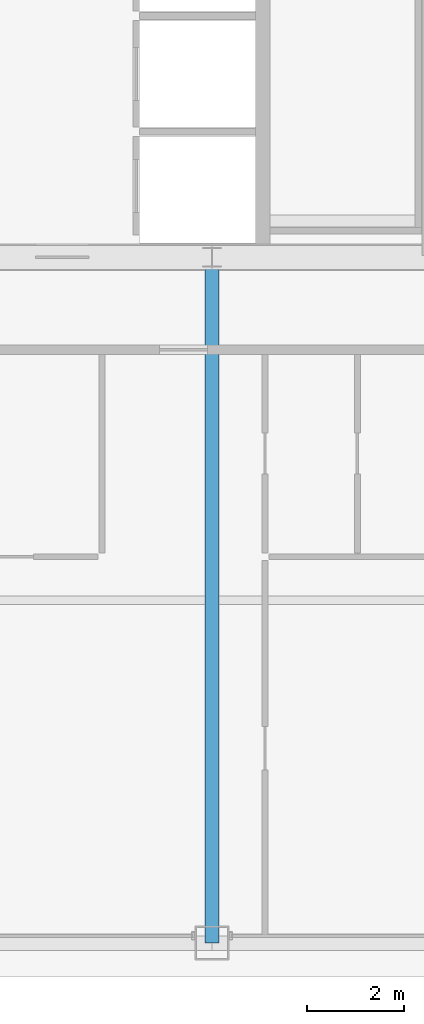
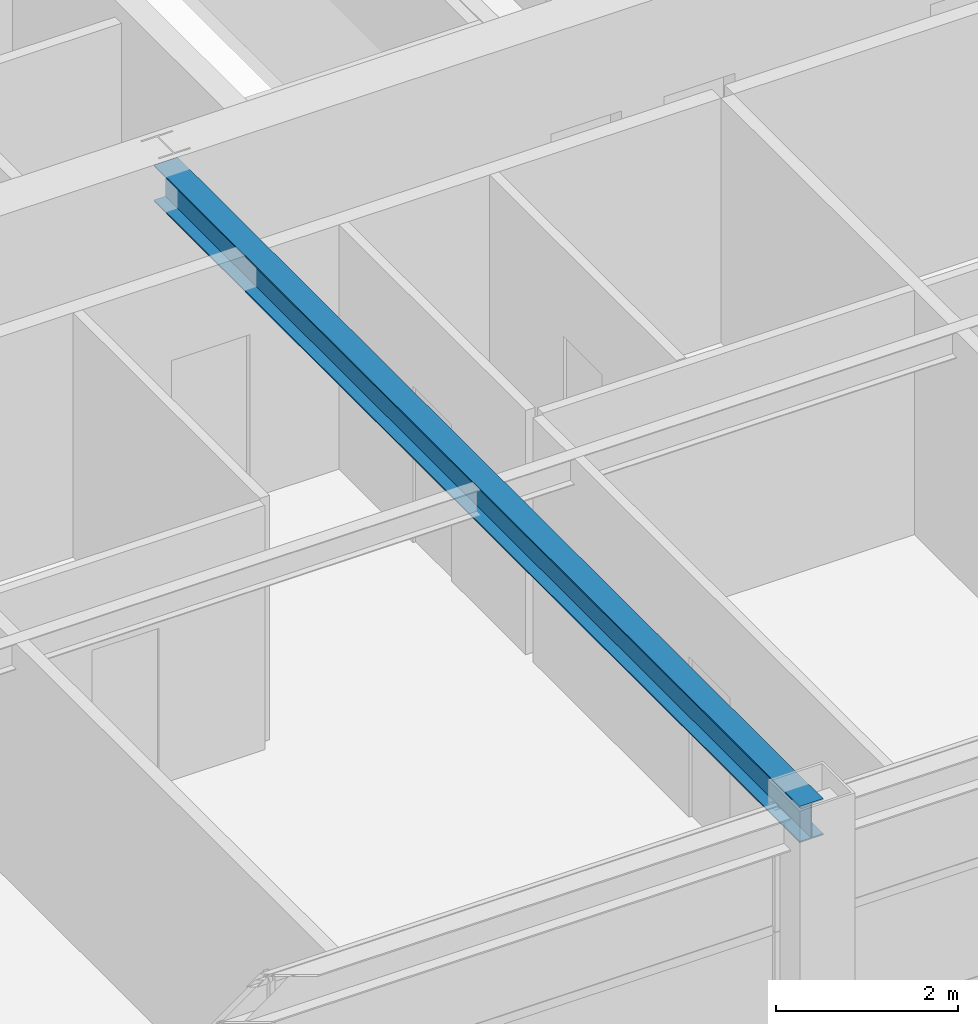
# One storey, part 10 of 37: 1 beam.
"""IFC4 building model written with IfcOpenShell, lengths in metres."""

from ifc_helpers import new_model, si_unit, direction, frame, origin, origin_2d, place, context, subcontext, project, spatial, i_section, extrude, source, transform, mapped, material, material_profile, profile_set, type_object, element, save


model = new_model("IFC4")

# Units and contexts
model_context = context("Model", 3, precision=1e-05, world=origin(), true_north=direction((0.0, 1.0)))
body_context = subcontext(model_context, "Body", "Model", "MODEL_VIEW")
ifc_project = project(units=[si_unit("LENGTHUNIT", "METRE"), si_unit("AREAUNIT", "SQUARE_METRE"), si_unit("VOLUMEUNIT", "CUBIC_METRE"), si_unit("PLANEANGLEUNIT", "RADIAN"), si_unit("MASSUNIT", "GRAM", prefix="KILO"), si_unit("THERMODYNAMICTEMPERATUREUNIT", "KELVIN"), si_unit("POWERUNIT", "WATT")], contexts=[model_context])

# Site, building, storey
site_placement = place(None, origin())
site = spatial("IfcSite", under=ifc_project, at=site_placement, CompositionType="ELEMENT")
building_placement = place(site_placement, origin())
building = spatial("IfcBuilding", under=site, at=building_placement, Name="Yuzanri Waterfront Tower", CompositionType="ELEMENT")
storey_placement = place(building_placement, frame((0.0, 0.0, 252.10009765625)))
storey = spatial("IfcBuildingStorey", under=building, at=storey_placement, Name="L67", CompositionType="ELEMENT", Elevation=252.10009765625)

# Beam
ifc_material = material(Name="Steel Q355B", Category="steel")
ifc_material_profile = material_profile(ifc_material, i_section(OverallWidth=0.300048828125, OverallDepth=0.488037109375, WebThickness=0.010986328125, FlangeThickness=0.01806640625, at=origin_2d()), Name="HM 488x300x11x18")
ifc_profile_set = profile_set([ifc_material_profile], Name="Steel Q355B")
beam_type = type_object("IfcBeamType", Name="Primary Floor Girder Q355B HM 488x300", PredefinedType="BEAM", material=ifc_profile_set)
shared_shape = source(origin(), body_context, "Body", "SweptSolid", [
    extrude(i_section(OverallWidth=0.300048828125, OverallDepth=0.488037109375, WebThickness=0.010986328125, FlangeThickness=0.01806640625, at=origin_2d()), origin(), (0.0, 0.0, 1.0), 14.199951171875),
])
beam_placement = place(storey_placement, frame((37.0, 19.39990234375, 3.035888671875), z_axis=(0.0, -1.0, 0.0), x_axis=(1.0, 0.0, 0.0)))
element("IfcBeam", 1, at=beam_placement, inside=storey, type_object=beam_type, Name="L67 South Grid Girder", PredefinedType="BEAM", context=body_context, shape_type="MappedRepresentation", body=[
    mapped(shared_shape, transform((0.0, 0.0, 0.0), scale=1.0)),
])

save(model, "model.ifc")
